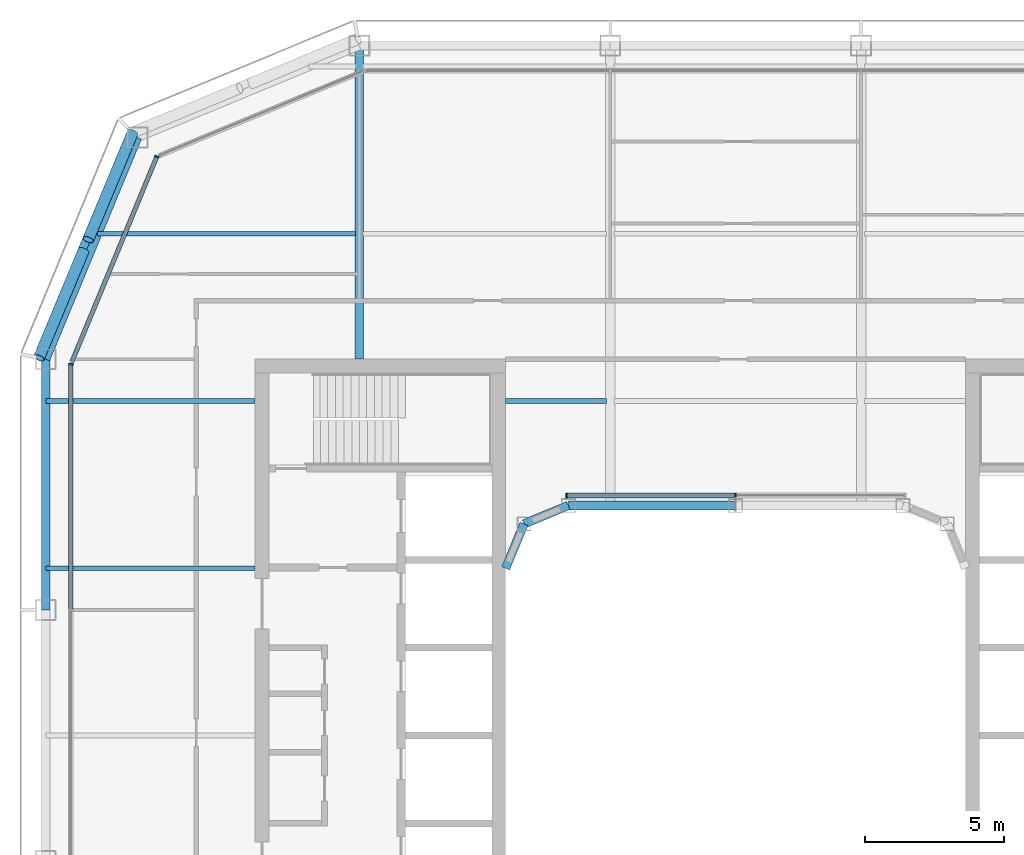
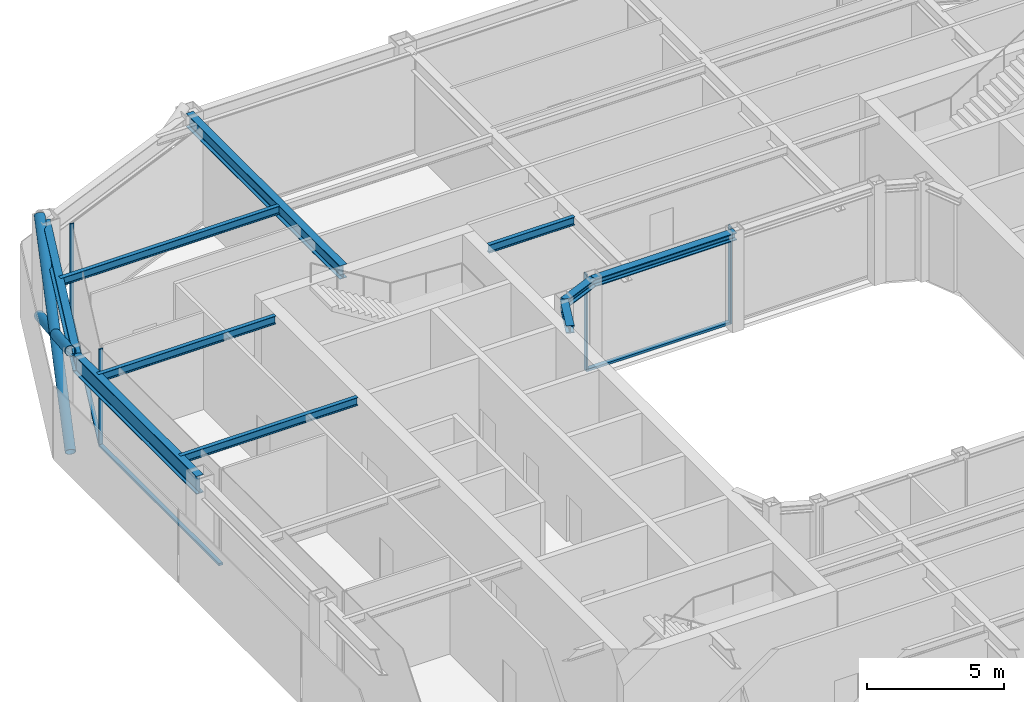
# One storey, part 6 of 21: 10 beams, 10 members, 3 elements without a shape of their own.
"""IFC4 building model written with IfcOpenShell, lengths in metres."""

from ifc_helpers import new_model, si_unit, direction, frame, origin, origin_2d, place, context, subcontext, project, spatial, rectangle, hollow_circle, i_section, extrude, material, layer, layer_set, material_profile, profile_set, type_object, element, aggregate, save


model = new_model("IFC4")

# Units and contexts
model_context = context("Model", 3, precision=1e-05, world=origin(), true_north=direction((0.0, 1.0)))
body_context = subcontext(model_context, "Body", "Model", "MODEL_VIEW")
ifc_project = project(units=[si_unit("LENGTHUNIT", "METRE"), si_unit("AREAUNIT", "SQUARE_METRE"), si_unit("VOLUMEUNIT", "CUBIC_METRE"), si_unit("PLANEANGLEUNIT", "RADIAN"), si_unit("MASSUNIT", "GRAM", prefix="KILO")], contexts=[model_context])

# Site, building, storey
site_placement = place(None, origin())
site = spatial("IfcSite", under=ifc_project, at=site_placement, CompositionType="ELEMENT")
building_placement = place(site_placement, origin())
building = spatial("IfcBuilding", under=site, at=building_placement, Name="Siwar Civic Tower", CompositionType="ELEMENT")
storey_placement = place(building_placement, frame((0.0, 0.0, 303.199951171875)))
storey = spatial("IfcBuildingStorey", under=building, at=storey_placement, Name="L65", CompositionType="ELEMENT", Elevation=303.199951171875)

# Curtain wall, member
ifc_material_1 = material(Name="Aluminium clad insulated panel", Category="aluminium")
ifc_layer_1 = layer(ifc_material_1, 0.159912109375)
ifc_layer_set_1 = layer_set([ifc_layer_1], Name="Aluminium clad insulated panel")
curtain_wall_type_1 = type_object("IfcCurtainWallType", Name="ENV-CW-DX", PredefinedType="NOTDEFINED", material=ifc_layer_set_1)
curtain_wall_1_placement = place(storey_placement, origin())
curtain_wall_1 = element("IfcCurtainWall", 1, at=curtain_wall_1_placement, inside=storey, type_object=curtain_wall_type_1, Name="Curtain wall D NW2", PredefinedType="NOTDEFINED")
ifc_material_2 = material(Name="Aluminium 6063-T6", Category="aluminium")
ifc_material_profile_1 = material_profile(ifc_material_2, rectangle(XDim=0.159912109375, YDim=0.06005859375, at=origin_2d()), Name="AL 160x60")
ifc_profile_set_1 = profile_set([ifc_material_profile_1], Name="Aluminium 6063-T6")
member_type_1 = type_object("IfcMemberType", Name="ENV-MULLION-D", PredefinedType="MULLION", material=ifc_profile_set_1)
member_1_placement = place(storey_placement, frame((-20.76611328125, 20.76611328125, 0.0), z_axis=(0.0, 0.0, 1.0), x_axis=(0.923879532511, -0.382683432365, 0.0)))
member_1 = element("IfcMember", 2, at=member_1_placement, type_object=member_type_1, Name="Mullion D NW2 1", PredefinedType="MULLION", context=body_context, shape_type="SweptSolid", body=[
    extrude(rectangle(XDim=0.159912109375, YDim=0.06005859375, at=origin_2d()), origin(), (0.0, 0.0, 1.0), 4.35009765625),
])

ifc_material_3 = material(Name="Aluminium and glass", Category="aluminium")
ifc_layer_2 = layer(ifc_material_3, 0.159912109375)
ifc_layer_set_2 = layer_set([ifc_layer_2], Name="Aluminium and glass")
curtain_wall_type_2 = type_object("IfcCurtainWallType", Name="ENV-CW-D", PredefinedType="NOTDEFINED", material=ifc_layer_set_2)
curtain_wall_2_placement = place(storey_placement, origin())
curtain_wall_2 = element("IfcCurtainWall", 3, at=curtain_wall_2_placement, inside=storey, type_object=curtain_wall_type_2, Name="Curtain wall D W", PredefinedType="NOTDEFINED")
member_2_placement = place(storey_placement, frame((-23.85009765625, 13.321044921875, 0.0), z_axis=(0.0, 0.0, 1.0), x_axis=(1.0, 0.0, 0.0)))
member_2 = element("IfcMember", 4, at=member_2_placement, type_object=member_type_1, Name="Mullion D W 1", PredefinedType="MULLION", context=body_context, shape_type="SweptSolid", body=[
    extrude(rectangle(XDim=0.159912109375, YDim=0.06005859375, at=origin_2d()), origin(), (0.0, 0.0, 1.0), 4.35009765625),
])

# Curtain wall, members
ifc_material_4 = material(Name="Aluminium and glass", Category="aluminium")
ifc_layer_3 = layer(ifc_material_4, 0.179931640625)
ifc_layer_set_3 = layer_set([ifc_layer_3], Name="Aluminium and glass")
curtain_wall_type_3 = type_object("IfcCurtainWallType", Name="ENV-CW-W", PredefinedType="NOTDEFINED", material=ifc_layer_set_3)
curtain_wall_3_placement = place(storey_placement, origin())
curtain_wall_3 = element("IfcCurtainWall", 5, at=curtain_wall_3_placement, inside=storey, type_object=curtain_wall_type_3, Name="Curtain wall W WN", PredefinedType="NOTDEFINED")
ifc_material_5 = material(Name="Aluminium 6063-T6", Category="aluminium")
ifc_material_profile_2 = material_profile(ifc_material_5, rectangle(XDim=0.179931640625, YDim=0.06005859375, at=origin_2d()), Name="AL 180x60")
ifc_profile_set_2 = profile_set([ifc_material_profile_2], Name="Aluminium 6063-T6")
member_type_2 = type_object("IfcMemberType", Name="ENV-MULLION-W", PredefinedType="MULLION", material=ifc_profile_set_2)
member_3_placement = place(storey_placement, frame((0.0, 8.610107421875, 0.0), z_axis=(0.0, 0.0, 1.0), x_axis=(0.0, -1.0, 0.0)))
member_3 = element("IfcMember", 6, at=member_3_placement, type_object=member_type_2, Name="Mullion W WN 2", PredefinedType="MULLION", context=body_context, shape_type="SweptSolid", body=[
    extrude(rectangle(XDim=0.179931640625, YDim=0.06005859375, at=origin_2d()), origin(), (0.0, 0.0, 1.0), 4.35009765625),
])
member_4_placement = place(storey_placement, frame((-6.071533203125, 8.610107421875, 0.0), z_axis=(0.0, 0.0, 1.0), x_axis=(0.0, -1.0, 0.0)))
member_4 = element("IfcMember", 7, at=member_4_placement, type_object=member_type_2, Name="Mullion W WN 3", PredefinedType="MULLION", context=body_context, shape_type="SweptSolid", body=[
    extrude(rectangle(XDim=0.179931640625, YDim=0.06005859375, at=origin_2d()), origin(), (0.0, 0.0, 1.0), 4.35009765625),
])

# Member
ifc_material_6 = material(Name="Aluminium 6063-T6", Category="aluminium")
ifc_material_profile_3 = material_profile(ifc_material_6, rectangle(XDim=0.159912109375, YDim=0.10009765625, at=origin_2d()), Name="AL 160x100")
ifc_profile_set_3 = profile_set([ifc_material_profile_3], Name="Aluminium 6063-T6")
member_type_3 = type_object("IfcMemberType", Name="ENV-TRANSOM-D", PredefinedType="USERDEFINED", material=ifc_profile_set_3)
member_5_placement = place(storey_placement, frame((-20.777587890625, 20.738525390625, 0.050048828125), z_axis=(-0.382673515031, -0.923883640343, 0.0), x_axis=(0.923883640343, -0.382673515031, 0.0)))
member_5 = element("IfcMember", 8, at=member_5_placement, type_object=member_type_3, Name="Transom D NW2 1", ObjectType="TRANSOM", PredefinedType="USERDEFINED", context=body_context, shape_type="SweptSolid", body=[
    extrude(rectangle(XDim=0.159912109375, YDim=0.10009765625, at=origin_2d()), origin(), (0.0, 0.0, 1.0), 7.930908203125),
])

aggregate(curtain_wall_1, [member_1, member_5])

member_6_placement = place(storey_placement, frame((-23.85009765625, 13.291015625, 0.050048828125), z_axis=(0.0, -1.0, 0.0), x_axis=(1.0, 0.0, 0.0)))
member_6 = element("IfcMember", 9, at=member_6_placement, type_object=member_type_3, Name="Transom D W 1", ObjectType="TRANSOM", PredefinedType="USERDEFINED", context=body_context, shape_type="SweptSolid", body=[
    extrude(rectangle(XDim=0.159912109375, YDim=0.10009765625, at=origin_2d()), origin(), (0.0, 0.0, 1.0), 8.760986328125),
])

aggregate(curtain_wall_2, [member_2, member_6])

ifc_material_7 = material(Name="Aluminium 6063-T6", Category="aluminium")
ifc_material_profile_4 = material_profile(ifc_material_7, rectangle(XDim=0.179931640625, YDim=0.10009765625, at=origin_2d()), Name="AL 180x100")
ifc_profile_set_4 = profile_set([ifc_material_profile_4], Name="Aluminium 6063-T6")
member_type_4 = type_object("IfcMemberType", Name="ENV-TRANSOM-W", PredefinedType="USERDEFINED", material=ifc_profile_set_4)
member_7_placement = place(storey_placement, frame((-0.030029296875, 8.610107421875, 0.050048828125), z_axis=(-1.0, 0.0, 0.0), x_axis=(0.0, -1.0, 0.0)))
member_7 = element("IfcMember", 10, at=member_7_placement, type_object=member_type_4, Name="Transom W WN 2", ObjectType="TRANSOM", PredefinedType="USERDEFINED", context=body_context, shape_type="SweptSolid", body=[
    extrude(rectangle(XDim=0.179931640625, YDim=0.10009765625, at=origin_2d()), origin(), (0.0, 0.0, 1.0), 6.011474609375),
])

aggregate(curtain_wall_3, [member_3, member_4, member_7])

# Members
ifc_material_8 = material(Name="Steel S355", Category="steel")
ifc_material_profile_5 = material_profile(ifc_material_8, hollow_circle(Radius=0.203125, WallThickness=0.01611328125, at=origin_2d()), Name="CHS406.4x16")
ifc_profile_set_5 = profile_set([ifc_material_profile_5], Name="Steel S355")
member_type_5 = type_object("IfcMemberType", Name="STR-BR-CHS406.4x16", PredefinedType="BRACE", material=ifc_profile_set_5)
member_8_placement = place(storey_placement, frame((-24.9951171875, 13.548828125, 0.0), z_axis=(0.341671493852, 0.821142553604, 0.457149315816), x_axis=(-0.923264922524, 0.384163874976, 0.0)))
element("IfcMember", 11, at=member_8_placement, inside=storey, type_object=member_type_5, Name="L65/brc/DNW1-4-0-1", PredefinedType="BRACE", context=body_context, shape_type="SweptSolid", body=[
    extrude(hollow_circle(Radius=0.203125, WallThickness=0.01611328125, at=origin_2d()), origin(), (0.0, 0.0, 1.0), 9.843505859375),
])
member_9_placement = place(storey_placement, frame((-21.6318359375, 21.6318359375, 0.0), z_axis=(-0.341644380467, -0.821147096886, 0.457161418507), x_axis=(0.923276488787, -0.38413607648, 0.0)))
element("IfcMember", 12, at=member_9_placement, inside=storey, type_object=member_type_5, Name="L65/brc/DNW1-4-0-2", PredefinedType="BRACE", context=body_context, shape_type="SweptSolid", body=[
    extrude(hollow_circle(Radius=0.203125, WallThickness=0.01611328125, at=origin_2d()), origin(), (0.0, 0.0, 1.0), 4.677001953125),
])
member_10_placement = place(storey_placement, frame((-23.397216796875, 17.38916015625, 2.362060546875), z_axis=(-0.341667178655, -0.821149689876, 0.457139722456), x_axis=(0.923267827529, -0.384156893273, 0.0)))
element("IfcMember", 13, at=member_10_placement, inside=storey, type_object=member_type_5, Name="L65/brc/DNW1-4-0-3", PredefinedType="BRACE", context=body_context, shape_type="SweptSolid", body=[
    extrude(hollow_circle(Radius=0.203125, WallThickness=0.01611328125, at=origin_2d()), origin(), (0.0, 0.0, 1.0), 4.6767578125),
])

# Beams
ifc_material_9 = material(Name="Steel S355", Category="steel")
ifc_material_profile_6 = material_profile(ifc_material_9, i_section(OverallWidth=0.169921875, OverallDepth=0.360107421875, WebThickness=0.008056640625, FlangeThickness=0.0126953125, FilletRadius=0.01806640625, at=origin_2d()), Name="IPE360")
ifc_profile_set_6 = profile_set([ifc_material_profile_6], Name="Steel S355")
beam_type_1 = type_object("IfcBeamType", Name="STR-FB-IPE360", PredefinedType="JOIST", material=ifc_profile_set_6)
for number, where, z_axis, x_axis, name in (
    (14, (-24.75, 6.0, 4.170166015625), (1.0, 0.0, 0.0), (0.0, 1.0, 0.0), "L65/bm/F020"),
    (15, (-24.75, 12.0, 4.170166015625), (1.0, 0.0, 0.0), (0.0, 1.0, 0.0), "L65/bm/F022"),
):
    element("IfcBeam", number, at=place(storey_placement, frame(where, z_axis=z_axis, x_axis=x_axis)), inside=storey, type_object=beam_type_1, Name=name, PredefinedType="JOIST", context=body_context, shape_type="SweptSolid", body=[
        extrude(i_section(OverallWidth=0.169921875, OverallDepth=0.360107421875, WebThickness=0.008056640625, FlangeThickness=0.0126953125, FilletRadius=0.01806640625, at=origin_2d()), origin(), (0.0, 0.0, 1.0), 7.5),
    ])
beam_1_placement = place(storey_placement, frame((-8.25, 12.0, 4.170166015625), z_axis=(1.0, 0.0, 0.0), x_axis=(0.0, 1.0, 0.0)))
element("IfcBeam", 16, at=beam_1_placement, inside=storey, type_object=beam_type_1, Name="L65/bm/F023", PredefinedType="JOIST", context=body_context, shape_type="SweptSolid", body=[
    extrude(i_section(OverallWidth=0.169921875, OverallDepth=0.360107421875, WebThickness=0.008056640625, FlangeThickness=0.0126953125, FilletRadius=0.01806640625, at=origin_2d()), origin(), (0.0, 0.0, 1.0), 3.6201171875),
])
beam_2_placement = place(storey_placement, frame((-22.885986328125, 18.0, 4.170166015625), z_axis=(1.0, 0.0, 0.0), x_axis=(0.0, 1.0, 0.0)))
element("IfcBeam", 17, at=beam_2_placement, inside=storey, type_object=beam_type_1, Name="L65/bm/F027", PredefinedType="JOIST", context=body_context, shape_type="SweptSolid", body=[
    extrude(i_section(OverallWidth=0.169921875, OverallDepth=0.360107421875, WebThickness=0.008056640625, FlangeThickness=0.0126953125, FilletRadius=0.01806640625, at=origin_2d()), origin(), (0.0, 0.0, 1.0), 9.256103515625),
])
ifc_material_10 = material(Name="Steel S355", Category="steel")
ifc_material_profile_7 = material_profile(ifc_material_10, i_section(OverallWidth=0.300048828125, OverallDepth=0.60009765625, WebThickness=0.015380859375, FlangeThickness=0.030029296875, FilletRadius=0.027099609375, at=origin_2d()), Name="HEB600")
ifc_profile_set_7 = profile_set([ifc_material_profile_7], Name="Steel S355")
beam_type_2 = type_object("IfcBeamType", Name="STR-PG-HEB600", PredefinedType="BEAM", material=ifc_profile_set_7)
beam_3_placement = place(storey_placement, frame((-13.5, 13.5, 4.050048828125), z_axis=(0.0, 1.0, 0.0), x_axis=(-1.0, 0.0, 0.0)))
element("IfcBeam", 18, at=beam_3_placement, inside=storey, type_object=beam_type_2, Name="L65/bm/G02", PredefinedType="BEAM", context=body_context, shape_type="SweptSolid", body=[
    extrude(i_section(OverallWidth=0.300048828125, OverallDepth=0.60009765625, WebThickness=0.015380859375, FlangeThickness=0.030029296875, FilletRadius=0.027099609375, at=origin_2d()), origin(), (0.0, 0.0, 1.0), 11.25),
])
ifc_material_11 = material(Name="Steel S355", Category="steel")
ifc_material_profile_8 = material_profile(ifc_material_11, i_section(OverallWidth=0.31005859375, OverallDepth=0.340087890625, WebThickness=0.02099609375, FlangeThickness=0.0390625, FilletRadius=0.027099609375, at=origin_2d()), Name="HEM300")
ifc_profile_set_8 = profile_set([ifc_material_profile_8], Name="Steel S355")
beam_type_3 = type_object("IfcBeamType", Name="STR-RB-HEM300", PredefinedType="BEAM", material=ifc_profile_set_8)
beam_4_placement = place(storey_placement, frame((-7.591064453125, 7.591064453125, 4.179931640625), z_axis=(0.923901072997, 0.382631424892, 0.0), x_axis=(-0.382631424892, 0.923901072997, 0.0)))
element("IfcBeam", 19, at=beam_4_placement, inside=storey, type_object=beam_type_3, Name="L65/bm/RN0", PredefinedType="BEAM", context=body_context, shape_type="SweptSolid", body=[
    extrude(i_section(OverallWidth=0.31005859375, OverallDepth=0.340087890625, WebThickness=0.02099609375, FlangeThickness=0.0390625, FilletRadius=0.027099609375, at=origin_2d()), origin(), (0.0, 0.0, 1.0), 1.72216796875),
])
beam_5_placement = place(storey_placement, frame((-6.0, 8.25, 4.179931640625), z_axis=(1.0, 0.0, 0.0), x_axis=(0.0, 1.0, 0.0)))
element("IfcBeam", 20, at=beam_5_placement, inside=storey, type_object=beam_type_3, Name="L65/bm/RN1", PredefinedType="BEAM", context=body_context, shape_type="SweptSolid", body=[
    extrude(i_section(OverallWidth=0.31005859375, OverallDepth=0.340087890625, WebThickness=0.02099609375, FlangeThickness=0.0390625, FilletRadius=0.027099609375, at=origin_2d()), origin(), (0.0, 0.0, 1.0), 6.0),
])
beam_6_placement = place(storey_placement, frame((-7.591064453125, 7.591064453125, 4.179931640625), z_axis=(-0.382631424892, -0.923901072997, 0.0), x_axis=(0.923901072997, -0.382631424892, 0.0)))
element("IfcBeam", 21, at=beam_6_placement, inside=storey, type_object=beam_type_3, Name="L65/bm/RNEW", PredefinedType="BEAM", context=body_context, shape_type="SweptSolid", body=[
    extrude(i_section(OverallWidth=0.31005859375, OverallDepth=0.340087890625, WebThickness=0.02099609375, FlangeThickness=0.0390625, FilletRadius=0.027099609375, at=origin_2d()), origin(), (0.0, 0.0, 1.0), 1.72216796875),
])
ifc_material_12 = material(Name="Steel S355", Category="steel")
ifc_material_profile_9 = material_profile(ifc_material_12, i_section(OverallWidth=0.300048828125, OverallDepth=0.800048828125, WebThickness=0.017578125, FlangeThickness=0.032958984375, FilletRadius=0.030029296875, at=origin_2d()), Name="HEB800")
ifc_profile_set_9 = profile_set([ifc_material_profile_9], Name="Steel S355")
beam_type_4 = type_object("IfcBeamType", Name="STR-SB-HEB800", PredefinedType="BEAM", material=ifc_profile_set_9)
beam_7_placement = place(storey_placement, frame((-21.454833984375, 21.454833984375, 3.949951171875), z_axis=(-0.382699877515, -0.923872720536, 0.0), x_axis=(0.923872720536, -0.382699877515, 0.0)))
element("IfcBeam", 22, at=beam_7_placement, inside=storey, type_object=beam_type_4, Name="L65/bm/SNW2-0", PredefinedType="BEAM", context=body_context, shape_type="SweptSolid", body=[
    extrude(i_section(OverallWidth=0.300048828125, OverallDepth=0.800048828125, WebThickness=0.017578125, FlangeThickness=0.032958984375, FilletRadius=0.030029296875, at=origin_2d()), origin(), (0.0, 0.0, 1.0), 8.6103515625),
])
beam_8_placement = place(storey_placement, frame((-24.75, 13.5, 3.949951171875), z_axis=(0.0, -1.0, 0.0), x_axis=(1.0, 0.0, 0.0)))
element("IfcBeam", 23, at=beam_8_placement, inside=storey, type_object=beam_type_4, Name="L65/bm/SW-0", PredefinedType="BEAM", context=body_context, shape_type="SweptSolid", body=[
    extrude(i_section(OverallWidth=0.300048828125, OverallDepth=0.800048828125, WebThickness=0.017578125, FlangeThickness=0.032958984375, FilletRadius=0.030029296875, at=origin_2d()), origin(), (0.0, 0.0, 1.0), 9.0),
])

save(model, "model.ifc")
